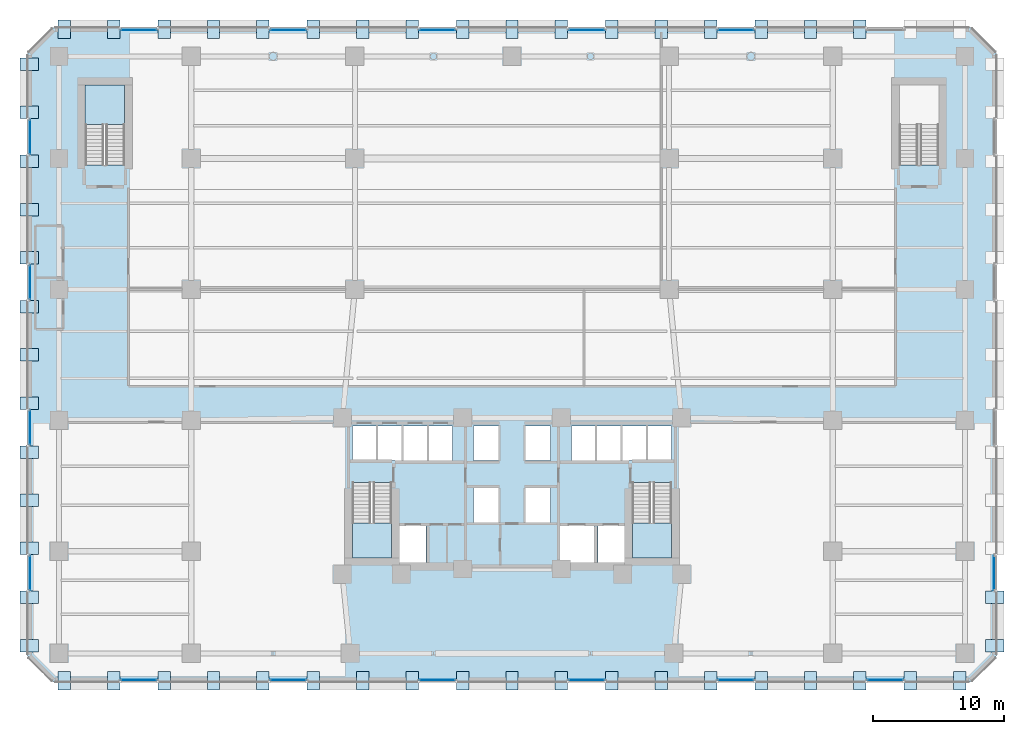
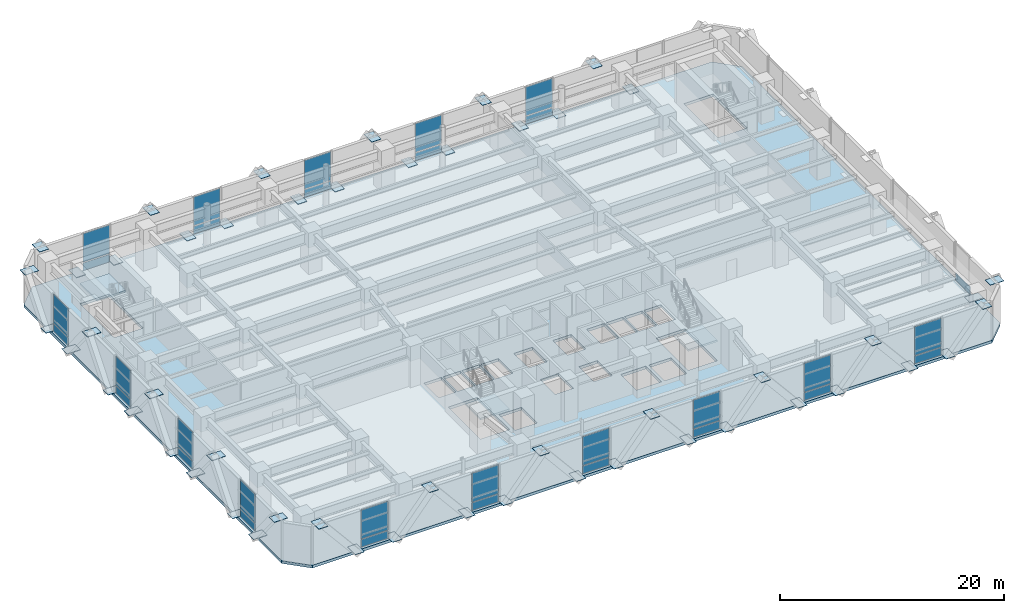
# One storey, part 12 of 26: 82 plates, 4 slabs, 19 elements without a shape of their own.
"""IFC4 building model written with IfcOpenShell, lengths in metres."""

from ifc_helpers import new_model, si_unit, direction, frame, origin, origin_2d, place, context, subcontext, project, spatial, polyline, rectangle, outline, extrude, material, layer, layer_set, type_object, element, aggregate, save


model = new_model("IFC4")

# Units and contexts
model_context = context("Model", 3, precision=1e-05, world=origin(), true_north=direction((0.0, 1.0)))
body_context = subcontext(model_context, "Body", "Model", "MODEL_VIEW")
ifc_project = project(units=[si_unit("LENGTHUNIT", "METRE"), si_unit("AREAUNIT", "SQUARE_METRE"), si_unit("VOLUMEUNIT", "CUBIC_METRE"), si_unit("PLANEANGLEUNIT", "RADIAN"), si_unit("MASSUNIT", "GRAM", prefix="KILO")], contexts=[model_context])

# Site, building, storey
site_placement = place(None, origin())
site = spatial("IfcSite", under=ifc_project, at=site_placement, CompositionType="ELEMENT")
building_placement = place(site_placement, origin())
building = spatial("IfcBuilding", under=site, at=building_placement, Name="Quenlor Broadcast Tower", CompositionType="ELEMENT")
storey_placement = place(building_placement, frame((0.0, 0.0, 14.0)))
storey = spatial("IfcBuildingStorey", under=building, at=storey_placement, Name="L03", CompositionType="ELEMENT", Elevation=14.0)

# Curtain wall, plates
ifc_material_1 = material(Name="Architectural Terracotta and Low-E Glazing", Category="masonry")
curtain_wall_type = type_object("IfcCurtainWallType", Name="Station Concourse and Crown Terracotta Curtain Wall", PredefinedType="NOTDEFINED", material=ifc_material_1)
curtain_wall_1_placement = place(storey_placement, origin())
curtain_wall_1 = element("IfcCurtainWall", 1, at=curtain_wall_1_placement, inside=storey, type_object=curtain_wall_type, Name="L03 Curtain Wall CW6 (L03-S-FULL-G1)", PredefinedType="NOTDEFINED")
ifc_material_2 = material(Name="Double Glazed Low-E Solar Glass", Category="glass")
ifc_layer_1 = layer(ifc_material_2, 0.033935546875)
ifc_layer_set_1 = layer_set([ifc_layer_1], Name="CW6 Double Glazed Vision Panel 34")
plate_type_1 = type_object("IfcPlateType", Name="CW6 Double Glazed Vision Panel 34", PredefinedType="CURTAIN_PANEL", material=ifc_layer_set_1)
plate_1_placement = place(storey_placement, frame((28.5, -24.820068359375, 0.08203125), z_axis=(0.0, 0.0, 1.0), x_axis=(-1.0, 0.0, 0.0)))
plate_1 = element("IfcPlate", 2, at=plate_1_placement, type_object=plate_type_1, Name="CW6 panel 1.1", PredefinedType="CURTAIN_PANEL", context=body_context, shape_type="SweptSolid", body=[
    extrude(rectangle(XDim=2.737060546875, YDim=0.033935546875, at=origin_2d()), origin(), (0.0, 0.0, 1.0), 0.826904296875),
])
plate_2_placement = place(storey_placement, frame((28.5, -24.820068359375, 0.990966796875), z_axis=(0.0, 0.0, 1.0), x_axis=(-1.0, 0.0, 0.0)))
plate_2 = element("IfcPlate", 3, at=plate_2_placement, type_object=plate_type_1, Name="CW6 panel 1.2", PredefinedType="CURTAIN_PANEL", context=body_context, shape_type="SweptSolid", body=[
    extrude(rectangle(XDim=2.737060546875, YDim=0.033935546875, at=origin_2d()), origin(), (0.0, 0.0, 1.0), 3.126953125),
])
aggregate(curtain_wall_1, [plate_1, plate_2])

curtain_wall_2_placement = place(storey_placement, origin())
curtain_wall_2 = element("IfcCurtainWall", 4, at=curtain_wall_2_placement, inside=storey, type_object=curtain_wall_type, Name="L03 Curtain Wall CW6 (L03-S-FULL-G2)", PredefinedType="NOTDEFINED")
plate_3_placement = place(storey_placement, frame((17.10009765625, -24.820068359375, 0.08203125), z_axis=(0.0, 0.0, 1.0), x_axis=(-1.0, 0.0, 0.0)))
plate_3 = element("IfcPlate", 5, at=plate_3_placement, type_object=plate_type_1, Name="CW6 panel 1.1", PredefinedType="CURTAIN_PANEL", context=body_context, shape_type="SweptSolid", body=[
    extrude(rectangle(XDim=2.737060546875, YDim=0.033935546875, at=origin_2d()), origin(), (0.0, 0.0, 1.0), 0.826904296875),
])
plate_4_placement = place(storey_placement, frame((17.10009765625, -24.820068359375, 0.990966796875), z_axis=(0.0, 0.0, 1.0), x_axis=(-1.0, 0.0, 0.0)))
plate_4 = element("IfcPlate", 6, at=plate_4_placement, type_object=plate_type_1, Name="CW6 panel 1.2", PredefinedType="CURTAIN_PANEL", context=body_context, shape_type="SweptSolid", body=[
    extrude(rectangle(XDim=2.737060546875, YDim=0.033935546875, at=origin_2d()), origin(), (0.0, 0.0, 1.0), 3.126953125),
])
aggregate(curtain_wall_2, [plate_3, plate_4])

curtain_wall_3_placement = place(storey_placement, origin())
curtain_wall_3 = element("IfcCurtainWall", 7, at=curtain_wall_3_placement, inside=storey, type_object=curtain_wall_type, Name="L03 Curtain Wall CW6 (L03-S-FULL-G3)", PredefinedType="NOTDEFINED")
plate_5_placement = place(storey_placement, frame((5.699951171875, -24.820068359375, 0.08203125), z_axis=(0.0, 0.0, 1.0), x_axis=(-1.0, 0.0, 0.0)))
plate_5 = element("IfcPlate", 8, at=plate_5_placement, type_object=plate_type_1, Name="CW6 panel 1.1", PredefinedType="CURTAIN_PANEL", context=body_context, shape_type="SweptSolid", body=[
    extrude(rectangle(XDim=2.737060546875, YDim=0.033935546875, at=origin_2d()), origin(), (0.0, 0.0, 1.0), 0.826904296875),
])
plate_6_placement = place(storey_placement, frame((5.699951171875, -24.820068359375, 0.990966796875), z_axis=(0.0, 0.0, 1.0), x_axis=(-1.0, 0.0, 0.0)))
plate_6 = element("IfcPlate", 9, at=plate_6_placement, type_object=plate_type_1, Name="CW6 panel 1.2", PredefinedType="CURTAIN_PANEL", context=body_context, shape_type="SweptSolid", body=[
    extrude(rectangle(XDim=2.737060546875, YDim=0.033935546875, at=origin_2d()), origin(), (0.0, 0.0, 1.0), 3.126953125),
])
aggregate(curtain_wall_3, [plate_5, plate_6])

curtain_wall_4_placement = place(storey_placement, origin())
curtain_wall_4 = element("IfcCurtainWall", 10, at=curtain_wall_4_placement, inside=storey, type_object=curtain_wall_type, Name="L03 Curtain Wall CW6 (L03-S-FULL-G4)", PredefinedType="NOTDEFINED")
plate_7_placement = place(storey_placement, frame((-5.699951171875, -24.820068359375, 0.08203125), z_axis=(0.0, 0.0, 1.0), x_axis=(-1.0, 0.0, 0.0)))
plate_7 = element("IfcPlate", 11, at=plate_7_placement, type_object=plate_type_1, Name="CW6 panel 1.1", PredefinedType="CURTAIN_PANEL", context=body_context, shape_type="SweptSolid", body=[
    extrude(rectangle(XDim=2.737060546875, YDim=0.033935546875, at=origin_2d()), origin(), (0.0, 0.0, 1.0), 0.826904296875),
])
plate_8_placement = place(storey_placement, frame((-5.699951171875, -24.820068359375, 0.990966796875), z_axis=(0.0, 0.0, 1.0), x_axis=(-1.0, 0.0, 0.0)))
plate_8 = element("IfcPlate", 12, at=plate_8_placement, type_object=plate_type_1, Name="CW6 panel 1.2", PredefinedType="CURTAIN_PANEL", context=body_context, shape_type="SweptSolid", body=[
    extrude(rectangle(XDim=2.737060546875, YDim=0.033935546875, at=origin_2d()), origin(), (0.0, 0.0, 1.0), 3.126953125),
])
aggregate(curtain_wall_4, [plate_7, plate_8])

curtain_wall_5_placement = place(storey_placement, origin())
curtain_wall_5 = element("IfcCurtainWall", 13, at=curtain_wall_5_placement, inside=storey, type_object=curtain_wall_type, Name="L03 Curtain Wall CW6 (L03-S-FULL-G5)", PredefinedType="NOTDEFINED")
plate_9_placement = place(storey_placement, frame((-17.10009765625, -24.820068359375, 0.08203125), z_axis=(0.0, 0.0, 1.0), x_axis=(-1.0, 0.0, 0.0)))
plate_9 = element("IfcPlate", 14, at=plate_9_placement, type_object=plate_type_1, Name="CW6 panel 1.1", PredefinedType="CURTAIN_PANEL", context=body_context, shape_type="SweptSolid", body=[
    extrude(rectangle(XDim=2.737060546875, YDim=0.033935546875, at=origin_2d()), origin(), (0.0, 0.0, 1.0), 0.826904296875),
])
plate_10_placement = place(storey_placement, frame((-17.10009765625, -24.820068359375, 0.990966796875), z_axis=(0.0, 0.0, 1.0), x_axis=(-1.0, 0.0, 0.0)))
plate_10 = element("IfcPlate", 15, at=plate_10_placement, type_object=plate_type_1, Name="CW6 panel 1.2", PredefinedType="CURTAIN_PANEL", context=body_context, shape_type="SweptSolid", body=[
    extrude(rectangle(XDim=2.737060546875, YDim=0.033935546875, at=origin_2d()), origin(), (0.0, 0.0, 1.0), 3.126953125),
])
aggregate(curtain_wall_5, [plate_9, plate_10])

curtain_wall_6_placement = place(storey_placement, origin())
curtain_wall_6 = element("IfcCurtainWall", 16, at=curtain_wall_6_placement, inside=storey, type_object=curtain_wall_type, Name="L03 Curtain Wall CW6 (L03-S-FULL-G6)", PredefinedType="NOTDEFINED")
plate_11_placement = place(storey_placement, frame((-28.5, -24.820068359375, 0.08203125), z_axis=(0.0, 0.0, 1.0), x_axis=(-1.0, 0.0, 0.0)))
plate_11 = element("IfcPlate", 17, at=plate_11_placement, type_object=plate_type_1, Name="CW6 panel 1.1", PredefinedType="CURTAIN_PANEL", context=body_context, shape_type="SweptSolid", body=[
    extrude(rectangle(XDim=2.737060546875, YDim=0.033935546875, at=origin_2d()), origin(), (0.0, 0.0, 1.0), 0.826904296875),
])
plate_12_placement = place(storey_placement, frame((-28.5, -24.820068359375, 0.990966796875), z_axis=(0.0, 0.0, 1.0), x_axis=(-1.0, 0.0, 0.0)))
plate_12 = element("IfcPlate", 18, at=plate_12_placement, type_object=plate_type_1, Name="CW6 panel 1.2", PredefinedType="CURTAIN_PANEL", context=body_context, shape_type="SweptSolid", body=[
    extrude(rectangle(XDim=2.737060546875, YDim=0.033935546875, at=origin_2d()), origin(), (0.0, 0.0, 1.0), 3.126953125),
])
aggregate(curtain_wall_6, [plate_11, plate_12])

curtain_wall_7_placement = place(storey_placement, origin())
curtain_wall_7 = element("IfcCurtainWall", 19, at=curtain_wall_7_placement, inside=storey, type_object=curtain_wall_type, Name="L03 Curtain Wall CW6 (L03-N-FULL-G1)", PredefinedType="NOTDEFINED")
plate_13_placement = place(storey_placement, frame((-28.5, 24.820068359375, 0.08203125), z_axis=(0.0, 0.0, 1.0), x_axis=(1.0, 0.0, 0.0)))
plate_13 = element("IfcPlate", 20, at=plate_13_placement, type_object=plate_type_1, Name="CW6 panel 1.1", PredefinedType="CURTAIN_PANEL", context=body_context, shape_type="SweptSolid", body=[
    extrude(rectangle(XDim=2.737060546875, YDim=0.033935546875, at=origin_2d()), origin(), (0.0, 0.0, 1.0), 0.826904296875),
])
plate_14_placement = place(storey_placement, frame((-28.5, 24.820068359375, 0.990966796875), z_axis=(0.0, 0.0, 1.0), x_axis=(1.0, 0.0, 0.0)))
plate_14 = element("IfcPlate", 21, at=plate_14_placement, type_object=plate_type_1, Name="CW6 panel 1.2", PredefinedType="CURTAIN_PANEL", context=body_context, shape_type="SweptSolid", body=[
    extrude(rectangle(XDim=2.737060546875, YDim=0.033935546875, at=origin_2d()), origin(), (0.0, 0.0, 1.0), 3.126953125),
])
aggregate(curtain_wall_7, [plate_13, plate_14])

curtain_wall_8_placement = place(storey_placement, origin())
curtain_wall_8 = element("IfcCurtainWall", 22, at=curtain_wall_8_placement, inside=storey, type_object=curtain_wall_type, Name="L03 Curtain Wall CW6 (L03-N-FULL-G2)", PredefinedType="NOTDEFINED")
plate_15_placement = place(storey_placement, frame((-17.10009765625, 24.820068359375, 0.08203125), z_axis=(0.0, 0.0, 1.0), x_axis=(1.0, 0.0, 0.0)))
plate_15 = element("IfcPlate", 23, at=plate_15_placement, type_object=plate_type_1, Name="CW6 panel 1.1", PredefinedType="CURTAIN_PANEL", context=body_context, shape_type="SweptSolid", body=[
    extrude(rectangle(XDim=2.737060546875, YDim=0.033935546875, at=origin_2d()), origin(), (0.0, 0.0, 1.0), 0.826904296875),
])
plate_16_placement = place(storey_placement, frame((-17.10009765625, 24.820068359375, 0.990966796875), z_axis=(0.0, 0.0, 1.0), x_axis=(1.0, 0.0, 0.0)))
plate_16 = element("IfcPlate", 24, at=plate_16_placement, type_object=plate_type_1, Name="CW6 panel 1.2", PredefinedType="CURTAIN_PANEL", context=body_context, shape_type="SweptSolid", body=[
    extrude(rectangle(XDim=2.737060546875, YDim=0.033935546875, at=origin_2d()), origin(), (0.0, 0.0, 1.0), 3.126953125),
])
aggregate(curtain_wall_8, [plate_15, plate_16])

curtain_wall_9_placement = place(storey_placement, origin())
curtain_wall_9 = element("IfcCurtainWall", 25, at=curtain_wall_9_placement, inside=storey, type_object=curtain_wall_type, Name="L03 Curtain Wall CW6 (L03-N-FULL-G3)", PredefinedType="NOTDEFINED")
plate_17_placement = place(storey_placement, frame((-5.699951171875, 24.820068359375, 0.08203125), z_axis=(0.0, 0.0, 1.0), x_axis=(1.0, 0.0, 0.0)))
plate_17 = element("IfcPlate", 26, at=plate_17_placement, type_object=plate_type_1, Name="CW6 panel 1.1", PredefinedType="CURTAIN_PANEL", context=body_context, shape_type="SweptSolid", body=[
    extrude(rectangle(XDim=2.737060546875, YDim=0.033935546875, at=origin_2d()), origin(), (0.0, 0.0, 1.0), 0.826904296875),
])
plate_18_placement = place(storey_placement, frame((-5.699951171875, 24.820068359375, 0.990966796875), z_axis=(0.0, 0.0, 1.0), x_axis=(1.0, 0.0, 0.0)))
plate_18 = element("IfcPlate", 27, at=plate_18_placement, type_object=plate_type_1, Name="CW6 panel 1.2", PredefinedType="CURTAIN_PANEL", context=body_context, shape_type="SweptSolid", body=[
    extrude(rectangle(XDim=2.737060546875, YDim=0.033935546875, at=origin_2d()), origin(), (0.0, 0.0, 1.0), 3.126953125),
])
aggregate(curtain_wall_9, [plate_17, plate_18])

curtain_wall_10_placement = place(storey_placement, origin())
curtain_wall_10 = element("IfcCurtainWall", 28, at=curtain_wall_10_placement, inside=storey, type_object=curtain_wall_type, Name="L03 Curtain Wall CW6 (L03-N-FULL-G4)", PredefinedType="NOTDEFINED")
plate_19_placement = place(storey_placement, frame((5.699951171875, 24.820068359375, 0.08203125), z_axis=(0.0, 0.0, 1.0), x_axis=(1.0, 0.0, 0.0)))
plate_19 = element("IfcPlate", 29, at=plate_19_placement, type_object=plate_type_1, Name="CW6 panel 1.1", PredefinedType="CURTAIN_PANEL", context=body_context, shape_type="SweptSolid", body=[
    extrude(rectangle(XDim=2.737060546875, YDim=0.033935546875, at=origin_2d()), origin(), (0.0, 0.0, 1.0), 0.826904296875),
])
plate_20_placement = place(storey_placement, frame((5.699951171875, 24.820068359375, 0.990966796875), z_axis=(0.0, 0.0, 1.0), x_axis=(1.0, 0.0, 0.0)))
plate_20 = element("IfcPlate", 30, at=plate_20_placement, type_object=plate_type_1, Name="CW6 panel 1.2", PredefinedType="CURTAIN_PANEL", context=body_context, shape_type="SweptSolid", body=[
    extrude(rectangle(XDim=2.737060546875, YDim=0.033935546875, at=origin_2d()), origin(), (0.0, 0.0, 1.0), 3.126953125),
])
aggregate(curtain_wall_10, [plate_19, plate_20])

curtain_wall_11_placement = place(storey_placement, origin())
curtain_wall_11 = element("IfcCurtainWall", 31, at=curtain_wall_11_placement, inside=storey, type_object=curtain_wall_type, Name="L03 Curtain Wall CW6 (L03-N-FULL-G5)", PredefinedType="NOTDEFINED")
plate_21_placement = place(storey_placement, frame((17.10009765625, 24.820068359375, 0.08203125), z_axis=(0.0, 0.0, 1.0), x_axis=(1.0, 0.0, 0.0)))
plate_21 = element("IfcPlate", 32, at=plate_21_placement, type_object=plate_type_1, Name="CW6 panel 1.1", PredefinedType="CURTAIN_PANEL", context=body_context, shape_type="SweptSolid", body=[
    extrude(rectangle(XDim=2.737060546875, YDim=0.033935546875, at=origin_2d()), origin(), (0.0, 0.0, 1.0), 0.826904296875),
])
plate_22_placement = place(storey_placement, frame((17.10009765625, 24.820068359375, 0.990966796875), z_axis=(0.0, 0.0, 1.0), x_axis=(1.0, 0.0, 0.0)))
plate_22 = element("IfcPlate", 33, at=plate_22_placement, type_object=plate_type_1, Name="CW6 panel 1.2", PredefinedType="CURTAIN_PANEL", context=body_context, shape_type="SweptSolid", body=[
    extrude(rectangle(XDim=2.737060546875, YDim=0.033935546875, at=origin_2d()), origin(), (0.0, 0.0, 1.0), 3.126953125),
])
aggregate(curtain_wall_11, [plate_21, plate_22])

curtain_wall_12_placement = place(storey_placement, origin())
curtain_wall_12 = element("IfcCurtainWall", 34, at=curtain_wall_12_placement, inside=storey, type_object=curtain_wall_type, Name="L03 Curtain Wall CW6 (L03-W-FULL-G1)", PredefinedType="NOTDEFINED")
plate_23_placement = place(storey_placement, frame((-36.820068359375, -16.64990234375, 0.08203125), z_axis=(0.0, 0.0, 1.0), x_axis=(0.0, 1.0, 0.0)))
plate_23 = element("IfcPlate", 35, at=plate_23_placement, type_object=plate_type_1, Name="CW6 panel 1.1", PredefinedType="CURTAIN_PANEL", context=body_context, shape_type="SweptSolid", body=[
    extrude(rectangle(XDim=2.630615234375, YDim=0.033935546875, at=origin_2d()), origin(), (0.0, 0.0, 1.0), 0.826904296875),
])
plate_24_placement = place(storey_placement, frame((-36.820068359375, -16.64990234375, 0.990966796875), z_axis=(0.0, 0.0, 1.0), x_axis=(0.0, 1.0, 0.0)))
plate_24 = element("IfcPlate", 36, at=plate_24_placement, type_object=plate_type_1, Name="CW6 panel 1.2", PredefinedType="CURTAIN_PANEL", context=body_context, shape_type="SweptSolid", body=[
    extrude(rectangle(XDim=2.630615234375, YDim=0.033935546875, at=origin_2d()), origin(), (0.0, 0.0, 1.0), 3.126953125),
])
aggregate(curtain_wall_12, [plate_23, plate_24])

curtain_wall_13_placement = place(storey_placement, origin())
curtain_wall_13 = element("IfcCurtainWall", 37, at=curtain_wall_13_placement, inside=storey, type_object=curtain_wall_type, Name="L03 Curtain Wall CW6 (L03-W-FULL-G2)", PredefinedType="NOTDEFINED")
plate_25_placement = place(storey_placement, frame((-36.820068359375, -5.550048828125, 0.08203125), z_axis=(0.0, 0.0, 1.0), x_axis=(0.0, 1.0, 0.0)))
plate_25 = element("IfcPlate", 38, at=plate_25_placement, type_object=plate_type_1, Name="CW6 panel 1.1", PredefinedType="CURTAIN_PANEL", context=body_context, shape_type="SweptSolid", body=[
    extrude(rectangle(XDim=2.630615234375, YDim=0.033935546875, at=origin_2d()), origin(), (0.0, 0.0, 1.0), 0.826904296875),
])
plate_26_placement = place(storey_placement, frame((-36.820068359375, -5.550048828125, 0.990966796875), z_axis=(0.0, 0.0, 1.0), x_axis=(0.0, 1.0, 0.0)))
plate_26 = element("IfcPlate", 39, at=plate_26_placement, type_object=plate_type_1, Name="CW6 panel 1.2", PredefinedType="CURTAIN_PANEL", context=body_context, shape_type="SweptSolid", body=[
    extrude(rectangle(XDim=2.630615234375, YDim=0.033935546875, at=origin_2d()), origin(), (0.0, 0.0, 1.0), 3.126953125),
])
aggregate(curtain_wall_13, [plate_25, plate_26])

curtain_wall_14_placement = place(storey_placement, origin())
curtain_wall_14 = element("IfcCurtainWall", 40, at=curtain_wall_14_placement, inside=storey, type_object=curtain_wall_type, Name="L03 Curtain Wall CW6 (L03-W-FULL-G3)", PredefinedType="NOTDEFINED")
plate_27_placement = place(storey_placement, frame((-36.820068359375, 5.550048828125, 0.08203125), z_axis=(0.0, 0.0, 1.0), x_axis=(0.0, 1.0, 0.0)))
plate_27 = element("IfcPlate", 41, at=plate_27_placement, type_object=plate_type_1, Name="CW6 panel 1.1", PredefinedType="CURTAIN_PANEL", context=body_context, shape_type="SweptSolid", body=[
    extrude(rectangle(XDim=2.630615234375, YDim=0.033935546875, at=origin_2d()), origin(), (0.0, 0.0, 1.0), 0.826904296875),
])
plate_28_placement = place(storey_placement, frame((-36.820068359375, 5.550048828125, 0.990966796875), z_axis=(0.0, 0.0, 1.0), x_axis=(0.0, 1.0, 0.0)))
plate_28 = element("IfcPlate", 42, at=plate_28_placement, type_object=plate_type_1, Name="CW6 panel 1.2", PredefinedType="CURTAIN_PANEL", context=body_context, shape_type="SweptSolid", body=[
    extrude(rectangle(XDim=2.630615234375, YDim=0.033935546875, at=origin_2d()), origin(), (0.0, 0.0, 1.0), 3.126953125),
])
aggregate(curtain_wall_14, [plate_27, plate_28])

curtain_wall_15_placement = place(storey_placement, origin())
curtain_wall_15 = element("IfcCurtainWall", 43, at=curtain_wall_15_placement, inside=storey, type_object=curtain_wall_type, Name="L03 Curtain Wall CW6 (L03-W-FULL-G4)", PredefinedType="NOTDEFINED")
plate_29_placement = place(storey_placement, frame((-36.820068359375, 16.64990234375, 0.08203125), z_axis=(0.0, 0.0, 1.0), x_axis=(0.0, 1.0, 0.0)))
plate_29 = element("IfcPlate", 44, at=plate_29_placement, type_object=plate_type_1, Name="CW6 panel 1.1", PredefinedType="CURTAIN_PANEL", context=body_context, shape_type="SweptSolid", body=[
    extrude(rectangle(XDim=2.630615234375, YDim=0.033935546875, at=origin_2d()), origin(), (0.0, 0.0, 1.0), 0.826904296875),
])
plate_30_placement = place(storey_placement, frame((-36.820068359375, 16.64990234375, 0.990966796875), z_axis=(0.0, 0.0, 1.0), x_axis=(0.0, 1.0, 0.0)))
plate_30 = element("IfcPlate", 45, at=plate_30_placement, type_object=plate_type_1, Name="CW6 panel 1.2", PredefinedType="CURTAIN_PANEL", context=body_context, shape_type="SweptSolid", body=[
    extrude(rectangle(XDim=2.630615234375, YDim=0.033935546875, at=origin_2d()), origin(), (0.0, 0.0, 1.0), 3.126953125),
])
aggregate(curtain_wall_15, [plate_29, plate_30])

# Curtain wall, plate
curtain_wall_16_placement = place(storey_placement, origin())
curtain_wall_16 = element("IfcCurtainWall", 46, at=curtain_wall_16_placement, inside=storey, type_object=curtain_wall_type, Name="L03 Curtain Wall CW6 (L03-E-FULL-G4)", PredefinedType="NOTDEFINED")
plate_31_placement = place(storey_placement, frame((36.820068359375, -16.64990234375, 0.08203125), z_axis=(0.0, 0.0, 1.0), x_axis=(0.0, -1.0, 0.0)))
plate_31 = element("IfcPlate", 47, at=plate_31_placement, type_object=plate_type_1, Name="CW6 panel 1.1", PredefinedType="CURTAIN_PANEL", context=body_context, shape_type="SweptSolid", body=[
    extrude(rectangle(XDim=2.630615234375, YDim=0.033935546875, at=origin_2d()), origin(), (0.0, 0.0, 1.0), 0.826904296875),
])
aggregate(curtain_wall_16, [plate_31])

# Stair, slab
ifc_material_3 = material(Name="Precast concrete C40/50", Category="concrete")
stair_type = type_object("IfcStairType", Name="Precast Concrete C40/50 Dogleg Stair H450", PredefinedType="HALF_TURN_STAIR", material=ifc_material_3)
stair_1_placement = place(storey_placement, origin())
stair_1 = element("IfcStair", 48, at=stair_1_placement, inside=storey, type_object=stair_type, Name="L03 West Core Fire-Isolated Exit Stair ST-1", PredefinedType="HALF_TURN_STAIR")
ifc_material_4 = material(Name="Precast concrete C40/50", Category="concrete")
ifc_layer_2 = layer(ifc_material_4, 0.199951171875)
ifc_layer_set_2 = layer_set([ifc_layer_2], Name="Precast Concrete C40/50 Stair Landing Slab 200")
slab_type_1 = type_object("IfcSlabType", Name="Precast Concrete C40/50 Stair Landing Slab 200", PredefinedType="LANDING", material=ifc_layer_set_2)
slab_1_placement = place(storey_placement, frame((0.0, 0.0, 2.050048828125)))
slab_1 = element("IfcSlab", 49, at=slab_1_placement, type_object=slab_type_1, Name="ST-1 landing 1", PredefinedType="LANDING", context=body_context, shape_type="SweptSolid", body=[
    extrude(outline(polyline([(-12.199951171875, -12.830078125), (-12.199951171875, -15.5), (-9.199951171875, -15.5), (-9.199951171875, -12.830078125), (-12.199951171875, -12.830078125)])), origin(), (0.0, 0.0, 1.0), 0.199951171875),
])
aggregate(stair_1, [slab_1])

stair_2_placement = place(storey_placement, origin())
stair_2 = element("IfcStair", 50, at=stair_2_placement, inside=storey, type_object=stair_type, Name="L03 East Core Fire-Isolated Exit Stair ST-2", PredefinedType="HALF_TURN_STAIR")
slab_2_placement = place(storey_placement, frame((0.0, 0.0, 2.050048828125)))
slab_2 = element("IfcSlab", 51, at=slab_2_placement, type_object=slab_type_1, Name="ST-2 landing 1", PredefinedType="LANDING", context=body_context, shape_type="SweptSolid", body=[
    extrude(outline(polyline([(9.199951171875, -12.830078125), (9.199951171875, -15.5), (12.199951171875, -15.5), (12.199951171875, -12.830078125), (9.199951171875, -12.830078125)])), origin(), (0.0, 0.0, 1.0), 0.199951171875),
])
aggregate(stair_2, [slab_2])

stair_3_placement = place(storey_placement, origin())
stair_3 = element("IfcStair", 52, at=stair_3_placement, inside=storey, type_object=stair_type, Name="L03 Station Podium North-West Exit Stair ST-3", PredefinedType="HALF_TURN_STAIR")
slab_3_placement = place(storey_placement, frame((0.0, 0.0, 2.050048828125)))
slab_3 = element("IfcSlab", 53, at=slab_3_placement, type_object=slab_type_1, Name="ST-3 landing 1", PredefinedType="LANDING", context=body_context, shape_type="SweptSolid", body=[
    extrude(outline(polyline([(-29.60009765625, 17.580078125), (-29.60009765625, 20.60009765625), (-32.60009765625, 20.60009765625), (-32.60009765625, 17.580078125), (-29.60009765625, 17.580078125)])), origin(), (0.0, 0.0, 1.0), 0.199951171875),
])
aggregate(stair_3, [slab_3])

# Slab
ifc_material_5 = material(Name="Concrete C50/60", Category="concrete")
ifc_layer_3 = layer(ifc_material_5, 0.300048828125)
ifc_layer_set_3 = layer_set([ifc_layer_3], Name="Station Podium Concrete C50/60 Slab 300")
slab_type_2 = type_object("IfcSlabType", Name="Station Podium Concrete C50/60 Slab 300", PredefinedType="FLOOR", material=ifc_layer_set_3)
slab_4_placement = place(storey_placement, frame((0.0, 0.0, -0.300048828125)))
element("IfcSlab", 54, at=slab_4_placement, inside=storey, type_object=slab_type_2, Name="L03 Structural Floor Slab", PredefinedType="FLOOR", context=body_context, shape_type="SweptSolid", body=[
    extrude(outline(polyline([(-35.0, -25.0), (35.0, -25.0), (37.0, -23.0), (37.0, 23.0), (35.0, 25.0), (-35.0, 25.0), (-37.0, 23.0), (-37.0, -23.0), (-35.0, -25.0)]), holes=[polyline([(-12.199951171875, -9.758056640625), (-12.199951171875, -15.5), (-9.199951171875, -15.5), (-9.199951171875, -9.758056640625), (-12.199951171875, -9.758056640625)]), polyline([(9.199951171875, -9.758056640625), (9.199951171875, -15.5), (12.199951171875, -15.5), (12.199951171875, -9.758056640625), (9.199951171875, -9.758056640625)]), polyline([(-29.60009765625, 14.508056640625), (-29.60009765625, 20.60009765625), (-32.60009765625, 20.60009765625), (-32.60009765625, 14.508056640625), (-29.60009765625, 14.508056640625)]), polyline([(32.60009765625, 14.508056640625), (32.60009765625, 20.60009765625), (29.60009765625, 20.60009765625), (29.60009765625, 14.508056640625), (32.60009765625, 14.508056640625)]), polyline([(-12.199951171875, -8.050048828125), (-10.39990234375, -8.050048828125), (-10.39990234375, -5.449951171875), (-12.199951171875, -5.449951171875), (-12.199951171875, -8.050048828125)]), polyline([(-10.25, -8.050048828125), (-8.449951171875, -8.050048828125), (-8.449951171875, -5.449951171875), (-10.25, -5.449951171875), (-10.25, -8.050048828125)]), polyline([(-8.300048828125, -8.050048828125), (-6.5, -8.050048828125), (-6.5, -5.449951171875), (-8.300048828125, -5.449951171875), (-8.300048828125, -8.050048828125)]), polyline([(-6.35009765625, -8.050048828125), (-4.550048828125, -8.050048828125), (-4.550048828125, -5.449951171875), (-6.35009765625, -5.449951171875), (-6.35009765625, -8.050048828125)]), polyline([(-2.949951171875, -8.050048828125), (-1.050048828125, -8.050048828125), (-1.050048828125, -5.449951171875), (-2.949951171875, -5.449951171875), (-2.949951171875, -8.050048828125)]), polyline([(1.050048828125, -8.050048828125), (2.949951171875, -8.050048828125), (2.949951171875, -5.449951171875), (1.050048828125, -5.449951171875), (1.050048828125, -8.050048828125)]), polyline([(-2.949951171875, -12.800048828125), (-1.050048828125, -12.800048828125), (-1.050048828125, -10.14990234375), (-2.949951171875, -10.14990234375), (-2.949951171875, -12.800048828125)]), polyline([(1.050048828125, -12.800048828125), (2.949951171875, -12.800048828125), (2.949951171875, -10.14990234375), (1.050048828125, -10.14990234375), (1.050048828125, -12.800048828125)]), polyline([(4.550048828125, -8.050048828125), (6.35009765625, -8.050048828125), (6.35009765625, -5.449951171875), (4.550048828125, -5.449951171875), (4.550048828125, -8.050048828125)]), polyline([(6.5, -8.050048828125), (8.300048828125, -8.050048828125), (8.300048828125, -5.449951171875), (6.5, -5.449951171875), (6.5, -8.050048828125)]), polyline([(8.449951171875, -8.050048828125), (10.25, -8.050048828125), (10.25, -5.449951171875), (8.449951171875, -5.449951171875), (8.449951171875, -8.050048828125)]), polyline([(10.39990234375, -8.050048828125), (12.199951171875, -8.050048828125), (12.199951171875, -5.449951171875), (10.39990234375, -5.449951171875), (10.39990234375, -8.050048828125)]), polyline([(-8.85009765625, -15.85009765625), (-6.550048828125, -15.85009765625), (-6.550048828125, -13.050048828125), (-8.85009765625, -13.050048828125), (-8.85009765625, -15.85009765625)]), polyline([(6.550048828125, -15.85009765625), (8.85009765625, -15.85009765625), (8.85009765625, -13.050048828125), (6.550048828125, -13.050048828125), (6.550048828125, -15.85009765625)]), polyline([(3.64990234375, -15.85009765625), (6.25, -15.85009765625), (6.25, -13.050048828125), (3.64990234375, -13.050048828125), (3.64990234375, -15.85009765625)])]), origin(), (0.0, 0.0, 1.0), 0.300048828125),
])

# Plates
ifc_material_6 = material(Name="Steel S355", Category="steel")
ifc_layer_4 = layer(ifc_material_6, 0.035888671875)
ifc_layer_set_4 = layer_set([ifc_layer_4], Name="Transfer Truss Steel S355 Gusset Node Plate 1400x950x36")
plate_type_2 = type_object("IfcPlateType", Name="Transfer Truss Steel S355 Gusset Node Plate 1400x950x36", PredefinedType="SHEET", material=ifc_layer_set_4)
for number, where, z_axis, x_axis, name in (
    (55, (26.5771484375, -24.8798828125, 0.0419921875), (0.0, 0.0, 1.0), (0.0, -1.0, 0.0), "L03 Podium Lattice Tie Gusset S-B2"),
    (56, (22.800048828125, -24.8798828125, 4.14208984375), (0.0, 0.0, 1.0), (0.0, -1.0, 0.0), "L03 Podium Lattice Tie Gusset S-T3"),
    (57, (30.4228515625, -24.8798828125, 0.0419921875), (0.0, 0.0, 1.0), (0.0, -1.0, 0.0), "L03 Podium Lattice Tie Gusset S-B1"),
    (58, (34.199951171875, -24.8798828125, 4.14208984375), (0.0, 0.0, 1.0), (0.0, -1.0, 0.0), "L03 Podium Lattice Tie Gusset S-T0"),
    (59, (15.17724609375, -24.8798828125, 0.0419921875), (0.0, 0.0, 1.0), (0.0, -1.0, 0.0), "L03 Podium Lattice Tie Gusset S-B5"),
    (60, (11.39990234375, -24.8798828125, 4.14208984375), (0.0, 0.0, 1.0), (0.0, -1.0, 0.0), "L03 Podium Lattice Tie Gusset S-T6"),
    (61, (19.022705078125, -24.8798828125, 0.0419921875), (0.0, 0.0, 1.0), (0.0, -1.0, 0.0), "L03 Podium Lattice Tie Gusset S-B4"),
    (62, (3.777099609375, -24.8798828125, 0.0419921875), (0.0, 0.0, 1.0), (0.0, -1.0, 0.0), "L03 Podium Lattice Tie Gusset S-B8"),
    (63, (0.0, -24.8798828125, 4.14208984375), (0.0, 0.0, 1.0), (0.0, -1.0, 0.0), "L03 Podium Lattice Tie Gusset S-T9"),
    (64, (7.622802734375, -24.8798828125, 0.0419921875), (0.0, 0.0, 1.0), (0.0, -1.0, 0.0), "L03 Podium Lattice Tie Gusset S-B7"),
    (65, (-7.622802734375, -24.8798828125, 0.0419921875), (0.0, 0.0, 1.0), (0.0, -1.0, 0.0), "L03 Podium Lattice Tie Gusset S-B11"),
    (66, (-11.39990234375, -24.8798828125, 4.14208984375), (0.0, 0.0, 1.0), (0.0, -1.0, 0.0), "L03 Podium Lattice Tie Gusset S-T12"),
    (67, (-3.777099609375, -24.8798828125, 0.0419921875), (0.0, 0.0, 1.0), (0.0, -1.0, 0.0), "L03 Podium Lattice Tie Gusset S-B10"),
    (68, (-19.022705078125, -24.8798828125, 0.0419921875), (0.0, 0.0, 1.0), (0.0, -1.0, 0.0), "L03 Podium Lattice Tie Gusset S-B14"),
    (69, (-22.800048828125, -24.8798828125, 4.14208984375), (0.0, 0.0, 1.0), (0.0, -1.0, 0.0), "L03 Podium Lattice Tie Gusset S-T15"),
    (70, (-15.17724609375, -24.8798828125, 0.0419921875), (0.0, 0.0, 1.0), (0.0, -1.0, 0.0), "L03 Podium Lattice Tie Gusset S-B13"),
    (71, (-30.4228515625, -24.8798828125, 0.0419921875), (0.0, 0.0, 1.0), (0.0, -1.0, 0.0), "L03 Podium Lattice Tie Gusset S-B17"),
    (72, (-34.199951171875, -24.8798828125, 4.14208984375), (0.0, 0.0, 1.0), (0.0, -1.0, 0.0), "L03 Podium Lattice Tie Gusset S-T18"),
    (73, (-26.5771484375, -24.8798828125, 0.0419921875), (0.0, 0.0, 1.0), (0.0, -1.0, 0.0), "L03 Podium Lattice Tie Gusset S-B16"),
    (74, (-26.5771484375, 24.8798828125, 0.0419921875), (0.0, 0.0, 1.0), (0.0, 1.0, 0.0), "L03 Podium Lattice Tie Gusset N-B2"),
    (75, (-22.800048828125, 24.8798828125, 4.14208984375), (0.0, 0.0, 1.0), (0.0, 1.0, 0.0), "L03 Podium Lattice Tie Gusset N-T3"),
    (76, (-30.4228515625, 24.8798828125, 0.0419921875), (0.0, 0.0, 1.0), (0.0, 1.0, 0.0), "L03 Podium Lattice Tie Gusset N-B1"),
    (77, (-34.199951171875, 24.8798828125, 4.14208984375), (0.0, 0.0, 1.0), (0.0, 1.0, 0.0), "L03 Podium Lattice Tie Gusset N-T0"),
    (78, (-15.17724609375, 24.8798828125, 0.0419921875), (0.0, 0.0, 1.0), (0.0, 1.0, 0.0), "L03 Podium Lattice Tie Gusset N-B5"),
    (79, (-11.39990234375, 24.8798828125, 4.14208984375), (0.0, 0.0, 1.0), (0.0, 1.0, 0.0), "L03 Podium Lattice Tie Gusset N-T6"),
    (80, (-19.022705078125, 24.8798828125, 0.0419921875), (0.0, 0.0, 1.0), (0.0, 1.0, 0.0), "L03 Podium Lattice Tie Gusset N-B4"),
    (81, (-3.777099609375, 24.8798828125, 0.0419921875), (0.0, 0.0, 1.0), (0.0, 1.0, 0.0), "L03 Podium Lattice Tie Gusset N-B8"),
    (82, (0.0, 24.8798828125, 4.14208984375), (0.0, 0.0, 1.0), (0.0, 1.0, 0.0), "L03 Podium Lattice Tie Gusset N-T9"),
    (83, (-7.622802734375, 24.8798828125, 0.0419921875), (0.0, 0.0, 1.0), (0.0, 1.0, 0.0), "L03 Podium Lattice Tie Gusset N-B7"),
    (84, (7.622802734375, 24.8798828125, 0.0419921875), (0.0, 0.0, 1.0), (0.0, 1.0, 0.0), "L03 Podium Lattice Tie Gusset N-B11"),
    (85, (11.39990234375, 24.8798828125, 4.14208984375), (0.0, 0.0, 1.0), (0.0, 1.0, 0.0), "L03 Podium Lattice Tie Gusset N-T12"),
    (86, (3.777099609375, 24.8798828125, 0.0419921875), (0.0, 0.0, 1.0), (0.0, 1.0, 0.0), "L03 Podium Lattice Tie Gusset N-B10"),
    (87, (19.022705078125, 24.8798828125, 0.0419921875), (0.0, 0.0, 1.0), (0.0, 1.0, 0.0), "L03 Podium Lattice Tie Gusset N-B14"),
    (88, (22.800048828125, 24.8798828125, 4.14208984375), (0.0, 0.0, 1.0), (0.0, 1.0, 0.0), "L03 Podium Lattice Tie Gusset N-T15"),
    (89, (15.17724609375, 24.8798828125, 0.0419921875), (0.0, 0.0, 1.0), (0.0, 1.0, 0.0), "L03 Podium Lattice Tie Gusset N-B13"),
    (90, (26.5771484375, 24.8798828125, 0.0419921875), (0.0, 0.0, 1.0), (0.0, 1.0, 0.0), "L03 Podium Lattice Tie Gusset N-B16"),
    (91, (-36.8798828125, -14.77783203125, 0.0419921875), (0.0, 0.0, 1.0), (-1.0, 0.0, 0.0), "L03 Podium Lattice Tie Gusset W-B2"),
    (92, (-36.8798828125, -11.10009765625, 4.14208984375), (0.0, 0.0, 1.0), (-1.0, 0.0, 0.0), "L03 Podium Lattice Tie Gusset W-T3"),
    (93, (-36.8798828125, -18.522216796875, 0.0419921875), (0.0, 0.0, 1.0), (-1.0, 0.0, 0.0), "L03 Podium Lattice Tie Gusset W-B1"),
    (94, (-36.8798828125, -22.199951171875, 4.14208984375), (0.0, 0.0, 1.0), (-1.0, 0.0, 0.0), "L03 Podium Lattice Tie Gusset W-T0"),
    (95, (-36.8798828125, -3.677734375, 0.0419921875), (0.0, 0.0, 1.0), (-1.0, 0.0, 0.0), "L03 Podium Lattice Tie Gusset W-B5"),
    (96, (-36.8798828125, 0.0, 4.14208984375), (0.0, 0.0, 1.0), (-1.0, 0.0, 0.0), "L03 Podium Lattice Tie Gusset W-T6"),
    (97, (-36.8798828125, -7.422119140625, 0.0419921875), (0.0, 0.0, 1.0), (-1.0, 0.0, 0.0), "L03 Podium Lattice Tie Gusset W-B4"),
    (98, (-36.8798828125, 7.422119140625, 0.0419921875), (0.0, 0.0, 1.0), (-1.0, 0.0, 0.0), "L03 Podium Lattice Tie Gusset W-B8"),
    (99, (-36.8798828125, 11.10009765625, 4.14208984375), (0.0, 0.0, 1.0), (-1.0, 0.0, 0.0), "L03 Podium Lattice Tie Gusset W-T9"),
    (100, (-36.8798828125, 3.677734375, 0.0419921875), (0.0, 0.0, 1.0), (-1.0, 0.0, 0.0), "L03 Podium Lattice Tie Gusset W-B7"),
    (101, (-36.8798828125, 18.522216796875, 0.0419921875), (0.0, 0.0, 1.0), (-1.0, 0.0, 0.0), "L03 Podium Lattice Tie Gusset W-B11"),
    (102, (-36.8798828125, 22.199951171875, 4.14208984375), (0.0, 0.0, 1.0), (-1.0, 0.0, 0.0), "L03 Podium Lattice Tie Gusset W-T12"),
    (103, (-36.8798828125, 14.77783203125, 0.0419921875), (0.0, 0.0, 1.0), (-1.0, 0.0, 0.0), "L03 Podium Lattice Tie Gusset W-B10"),
    (104, (36.8798828125, -18.522216796875, 0.0419921875), (0.0, 0.0, 1.0), (1.0, 0.0, 0.0), "L03 Podium Lattice Tie Gusset E-B11"),
    (105, (36.8798828125, -22.199951171875, 4.14208984375), (0.0, 0.0, 1.0), (1.0, 0.0, 0.0), "L03 Podium Lattice Tie Gusset E-T12"),
):
    element("IfcPlate", number, at=place(storey_placement, frame(where, z_axis=z_axis, x_axis=x_axis)), inside=storey, type_object=plate_type_2, Name=name, PredefinedType="SHEET", context=body_context, shape_type="SweptSolid", body=[
        extrude(rectangle(XDim=1.39990234375, YDim=0.949951171875, at=origin_2d()), origin(), (0.0, 0.0, 1.0), 0.035888671875),
    ])

save(model, "model.ifc")
